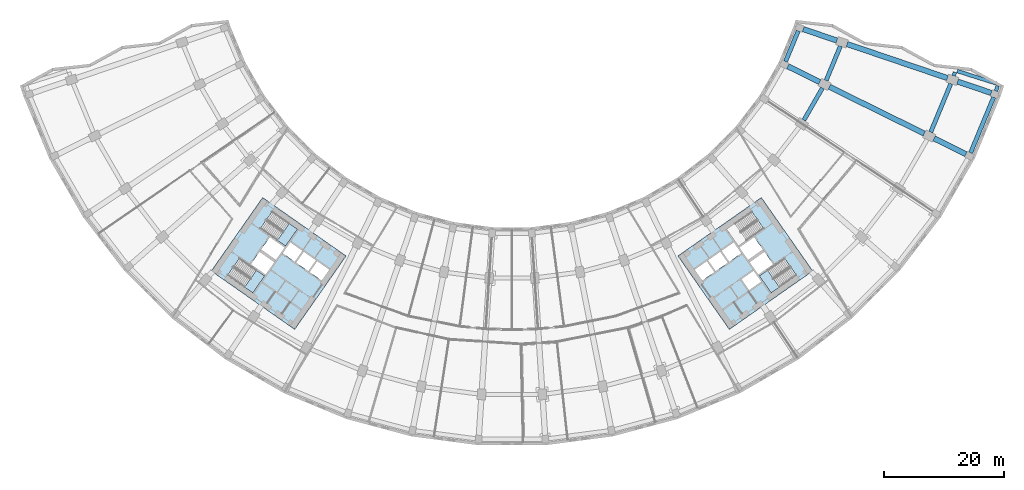
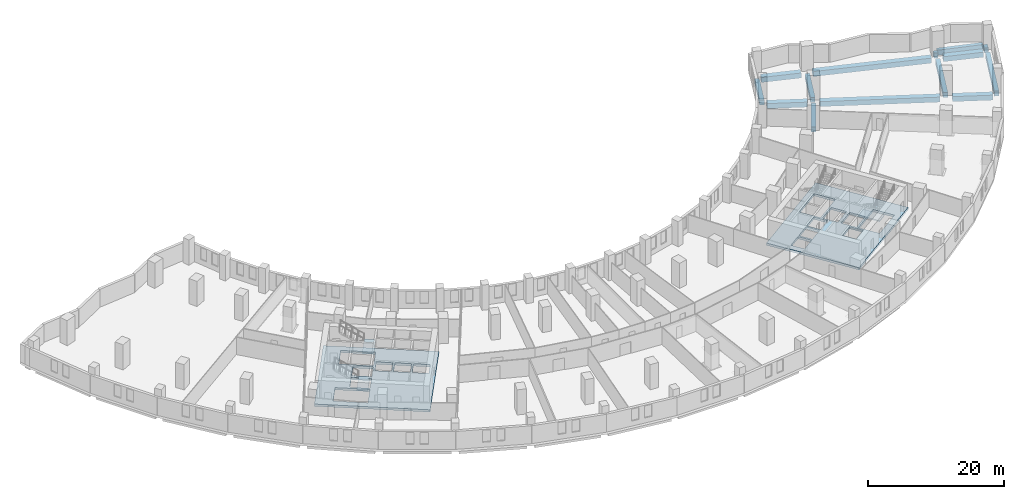
# One storey, part 3 of 19: 14 beams, 5 slabs, 3 elements without a shape of their own.
"""IFC4 building model written with IfcOpenShell, lengths in metres."""

from ifc_helpers import new_model, si_unit, direction, frame, origin, origin_2d, place, context, subcontext, project, spatial, polyline, rectangle, outline, extrude, material, layer, layer_set, material_profile, profile_set, type_object, element, aggregate, save


model = new_model("IFC4")

# Units and contexts
model_context = context("Model", 3, precision=1e-05, world=origin(), true_north=direction((0.0, 1.0)))
body_context = subcontext(model_context, "Body", "Model", "MODEL_VIEW")
ifc_project = project(units=[si_unit("LENGTHUNIT", "METRE"), si_unit("AREAUNIT", "SQUARE_METRE"), si_unit("VOLUMEUNIT", "CUBIC_METRE"), si_unit("PLANEANGLEUNIT", "RADIAN"), si_unit("MASSUNIT", "GRAM", prefix="KILO")], contexts=[model_context])

# Site, building, storey
site_placement = place(None, origin())
site = spatial("IfcSite", under=ifc_project, at=site_placement, CompositionType="ELEMENT")
building_placement = place(site_placement, origin())
building = spatial("IfcBuilding", under=site, at=building_placement, Name="Qamariyya Broadcast Tower", CompositionType="ELEMENT")
storey_placement = place(building_placement, frame((0.0, 0.0, 36.0)))
storey = spatial("IfcBuildingStorey", under=building, at=storey_placement, Name="L05", CompositionType="ELEMENT", Elevation=36.0)

# Beams
ifc_material_1 = material(Name="Concrete C50/60", Category="concrete")
ifc_material_profile_1 = material_profile(ifc_material_1, rectangle(XDim=0.699951171875, YDim=0.89990234375, at=origin_2d()))
ifc_profile_set_1 = profile_set([ifc_material_profile_1], Name="Concrete C50/60")
beam_type_1 = type_object("IfcBeamType", Name="RC edge beam 700 x 900 C50/60", PredefinedType="SPANDREL", material=ifc_profile_set_1)
beam_1_placement = place(storey_placement, frame((45.727294921875, -21.93701171875, -0.85009765625), z_axis=(0.382654292645, 0.92389160204, 0.0), x_axis=(-0.92389160204, 0.382654292645, 0.0)))
element("IfcBeam", 1, at=beam_1_placement, inside=storey, type_object=beam_type_1, Name="Edge beam B2 L05 A R19-R20", PredefinedType="SPANDREL", context=body_context, shape_type="SweptSolid", body=[
    extrude(rectangle(XDim=0.699951171875, YDim=0.89990234375, at=origin_2d()), origin(), (0.0, 0.0, 1.0), 5.5361328125),
])
for number, where, z_axis, x_axis, name in (
    (2, (48.783935546875, -31.75439453125, -0.85009765625), (0.499995558535, 0.86602796805, 0.0), (-0.86602796805, 0.499995558535, 0.0), "Edge beam B2 L05 B R18-R19"),
    (3, (52.51123046875, -25.115234375, -0.85009765625), (0.38268477858, 0.92387897489, 0.0), (-0.92387897489, 0.38268477858, 0.0), "Edge beam B2 L05 B R19-R20"),
):
    element("IfcBeam", number, at=place(storey_placement, frame(where, z_axis=z_axis, x_axis=x_axis)), inside=storey, type_object=beam_type_1, Name=name, PredefinedType="SPANDREL", context=body_context, shape_type="SweptSolid", body=[
        extrude(rectangle(XDim=0.699951171875, YDim=0.89990234375, at=origin_2d()), origin(), (0.0, 0.0, 1.0), 6.21630859375),
    ])
beam_2_placement = place(storey_placement, frame((70.000244140625, -33.73974609375, -0.85009765625), z_axis=(0.38270841035, 0.923869185896, 0.0), x_axis=(-0.923869185896, 0.38270841035, 0.0)))
element("IfcBeam", 4, at=beam_2_placement, inside=storey, type_object=beam_type_1, Name="Edge beam B2 L05 C R19-R20", PredefinedType="SPANDREL", context=body_context, shape_type="SweptSolid", body=[
    extrude(rectangle(XDim=0.699951171875, YDim=0.89990234375, at=origin_2d()), origin(), (0.0, 0.0, 1.0), 8.76708984375),
])
beam_3_placement = place(storey_placement, frame((76.66943359375, -37.19580078125, -0.85009765625), z_axis=(0.382677229034, 0.923882101991, 0.0), x_axis=(-0.923882101991, 0.382677229034, 0.0)))
element("IfcBeam", 5, at=beam_3_placement, inside=storey, type_object=beam_type_1, Name="Edge beam B2 L05 D R19-R20", PredefinedType="SPANDREL", context=body_context, shape_type="SweptSolid", body=[
    extrude(rectangle(XDim=0.699951171875, YDim=0.89990234375, at=origin_2d()), origin(), (0.0, 0.0, 1.0), 10.048828125),
])
ifc_material_profile_2 = material_profile(ifc_material_1, rectangle(XDim=0.60009765625, YDim=0.89990234375, at=origin_2d()))
ifc_profile_set_2 = profile_set([ifc_material_profile_2], Name="Concrete C50/60")
beam_type_2 = type_object("IfcBeamType", Name="RC horn beam 600 x 900 C50/60", PredefinedType="BEAM", material=ifc_profile_set_2)
beam_4_placement = place(storey_placement, frame((73.841796875, -24.32666015625, -0.85009765625), z_axis=(0.311677221784, 0.95018803898, 0.0), x_axis=(-0.95018803898, 0.311677221784, 0.0)))
element("IfcBeam", 6, at=beam_4_placement, inside=storey, type_object=beam_type_2, Name="Horn beam B3 L05 E C-R20", PredefinedType="BEAM", context=body_context, shape_type="SweptSolid", body=[
    extrude(rectangle(XDim=0.60009765625, YDim=0.89990234375, at=origin_2d()), origin(), (0.0, 0.0, 1.0), 0.628173828125),
])
beam_5_placement = place(storey_placement, frame((80.897216796875, -26.880126953125, -0.85009765625), z_axis=(0.31136908678, 0.95028905697, 0.0), x_axis=(-0.95028905697, 0.31136908678, 0.0)))
element("IfcBeam", 7, at=beam_5_placement, inside=storey, type_object=beam_type_2, Name="Horn beam B3 L05 E D-R20", PredefinedType="BEAM", context=body_context, shape_type="SweptSolid", body=[
    extrude(rectangle(XDim=0.60009765625, YDim=0.89990234375, at=origin_2d()), origin(), (0.0, 0.0, 1.0), 0.935302734375),
])
ifc_material_profile_3 = material_profile(ifc_material_1, rectangle(XDim=0.60009765625, YDim=0.89990234375, at=origin_2d()))
ifc_profile_set_3 = profile_set([ifc_material_profile_3], Name="Concrete C50/60")
beam_type_3 = type_object("IfcBeamType", Name="RC horn cap beam 600 x 900 C50/60", PredefinedType="BEAM", material=ifc_profile_set_3)
beam_6_placement = place(storey_placement, frame((74.4169921875, -23.53515625, -0.85009765625), z_axis=(0.953456380288, -0.301530978321, 0.0), x_axis=(0.301530978321, 0.953456380288, 0.0)))
element("IfcBeam", 8, at=beam_6_placement, inside=storey, type_object=beam_type_3, Name="Horn cap beam B4 L05 E C-D", PredefinedType="BEAM", context=body_context, shape_type="SweptSolid", body=[
    extrude(rectangle(XDim=0.60009765625, YDim=0.89990234375, at=origin_2d()), origin(), (0.0, 0.0, 1.0), 6.89990234375),
])
ifc_material_profile_4 = material_profile(ifc_material_1, rectangle(XDim=0.89990234375, YDim=0.89990234375, at=origin_2d()))
ifc_profile_set_4 = profile_set([ifc_material_profile_4], Name="Concrete C50/60")
beam_type_4 = type_object("IfcBeamType", Name="RC radial beam 900 x 900 C50/60", PredefinedType="BEAM", material=ifc_profile_set_4)
beam_7_placement = place(storey_placement, frame((46.099365234375, -22.733642578125, -0.85009765625), z_axis=(0.896867525941, -0.442299266236, 0.0), x_axis=(0.442299266236, 0.896867525941, 0.0)))
element("IfcBeam", 9, at=beam_7_placement, inside=storey, type_object=beam_type_4, Name="Radial beam B1 L05 R19 A-B", PredefinedType="BEAM", context=body_context, shape_type="SweptSolid", body=[
    extrude(rectangle(XDim=0.89990234375, YDim=0.89990234375, at=origin_2d()), origin(), (0.0, 0.0, 1.0), 5.94970703125),
])
beam_8_placement = place(storey_placement, frame((53.050048828125, -26.161376953125, -0.85009765625), z_axis=(0.896868921808, -0.442296435771, 0.0), x_axis=(0.442296435771, 0.896868921808, 0.0)))
element("IfcBeam", 10, at=beam_8_placement, inside=storey, type_object=beam_type_4, Name="Radial beam B1 L05 R19 B-C", PredefinedType="BEAM", context=body_context, shape_type="SweptSolid", body=[
    extrude(rectangle(XDim=0.89990234375, YDim=0.89990234375, at=origin_2d()), origin(), (0.0, 0.0, 1.0), 17.699951171875),
])
beam_9_placement = place(storey_placement, frame((70.5390625, -34.785888671875, -0.85009765625), z_axis=(0.896859276255, -0.442315994054, 0.0), x_axis=(0.442315994054, 0.896859276255, 0.0)))
element("IfcBeam", 11, at=beam_9_placement, inside=storey, type_object=beam_type_4, Name="Radial beam B1 L05 R19 C-D", PredefinedType="BEAM", context=body_context, shape_type="SweptSolid", body=[
    extrude(rectangle(XDim=0.89990234375, YDim=0.89990234375, at=origin_2d()), origin(), (0.0, 0.0, 1.0), 5.9501953125),
])
beam_10_placement = place(storey_placement, frame((48.672119140625, -16.52197265625, -0.85009765625), z_axis=(0.946929197619, -0.32144221051, 0.0), x_axis=(0.32144221051, 0.946929197619, 0.0)))
element("IfcBeam", 12, at=beam_10_placement, inside=storey, type_object=beam_type_4, Name="Radial beam B1 L05 R20 A-B", PredefinedType="BEAM", context=body_context, shape_type="SweptSolid", body=[
    extrude(rectangle(XDim=0.89990234375, YDim=0.89990234375, at=origin_2d()), origin(), (0.0, 0.0, 1.0), 5.949951171875),
])
beam_11_placement = place(storey_placement, frame((56.010986328125, -19.01318359375, -0.85009765625), z_axis=(0.946929601856, -0.321441019674, 0.0), x_axis=(0.321441019674, 0.946929601856, 0.0)))
element("IfcBeam", 13, at=beam_11_placement, inside=storey, type_object=beam_type_4, Name="Radial beam B1 L05 R20 B-C", PredefinedType="BEAM", context=body_context, shape_type="SweptSolid", body=[
    extrude(rectangle(XDim=0.89990234375, YDim=0.89990234375, at=origin_2d()), origin(), (0.0, 0.0, 1.0), 17.699951171875),
])
beam_12_placement = place(storey_placement, frame((74.47607421875, -25.28125, -0.85009765625), z_axis=(0.946929197619, -0.32144221051, 0.0), x_axis=(0.32144221051, 0.946929197619, 0.0)))
element("IfcBeam", 14, at=beam_12_placement, inside=storey, type_object=beam_type_4, Name="Radial beam B1 L05 R20 C-D", PredefinedType="BEAM", context=body_context, shape_type="SweptSolid", body=[
    extrude(rectangle(XDim=0.89990234375, YDim=0.89990234375, at=origin_2d()), origin(), (0.0, 0.0, 1.0), 5.949951171875),
])

# Slabs
ifc_material_2 = material(Name="Concrete C40/50", Category="concrete")
ifc_layer_1 = layer(ifc_material_2, 0.39990234375)
ifc_layer_set_1 = layer_set([ifc_layer_1], Name="Core floor slab 400 mm Concrete C40/50")
slab_type_1 = type_object("IfcSlabType", Name="Core floor slab 400 mm Concrete C40/50", PredefinedType="FLOOR", material=ifc_layer_set_1)
slab_1_placement = place(storey_placement, frame((0.0, 0.0, -0.39990234375)))
element("IfcSlab", 15, at=slab_1_placement, inside=storey, type_object=slab_type_1, Name="k-W-L05-slab", PredefinedType="FLOOR", context=body_context, shape_type="SweptSolid", body=[
    extrude(outline(polyline([(-50.286376953125, -56.95751953125), (-36.32373046875, -66.734375), (-27.719970703125, -54.447021484375), (-41.6826171875, -44.67041015625), (-50.286376953125, -56.95751953125)]), holes=[polyline([(-31.80859375, -58.542724609375), (-33.8154296875, -57.137451171875), (-32.5537109375, -55.335205078125), (-30.546630859375, -56.740478515625), (-31.80859375, -58.542724609375)]), polyline([(-34.061279296875, -56.96533203125), (-36.068115234375, -55.56005859375), (-34.806396484375, -53.758056640625), (-32.79931640625, -55.163330078125), (-34.061279296875, -56.96533203125)]), polyline([(-36.31396484375, -55.387939453125), (-38.32080078125, -53.982666015625), (-37.058837890625, -52.1806640625), (-35.052001953125, -53.5859375), (-36.31396484375, -55.387939453125)]), polyline([(-39.742431640625, -55.489990234375), (-42.199951171875, -53.769287109375), (-43.6337890625, -55.817138671875), (-41.17626953125, -57.537841796875), (-39.742431640625, -55.489990234375)]), polyline([(-39.45556640625, -55.080322265625), (-41.9130859375, -53.359619140625), (-40.47900390625, -51.311767578125), (-38.021728515625, -53.032470703125), (-39.45556640625, -55.080322265625)]), polyline([(-42.06103515625, -49.837890625), (-37.849609375, -52.78662109375), (-35.870849609375, -49.960693359375), (-40.082275390625, -47.01171875), (-42.06103515625, -49.837890625)]), polyline([(-47.538818359375, -57.66064453125), (-43.3271484375, -60.609619140625), (-41.348388671875, -57.783447265625), (-45.559814453125, -54.834716796875), (-47.538818359375, -57.66064453125)])]), origin(), (0.0, 0.0, 1.0), 0.39990234375),
])
slab_2_placement = place(storey_placement, frame((0.0, 0.0, -0.39990234375)))
element("IfcSlab", 16, at=slab_2_placement, inside=storey, type_object=slab_type_1, Name="k-E-L05-slab", PredefinedType="FLOOR", context=body_context, shape_type="SweptSolid", body=[
    extrude(outline(polyline([(36.32373046875, -66.734375), (50.286376953125, -56.95751953125), (41.6826171875, -44.67041015625), (27.719970703125, -54.447021484375), (36.32373046875, -66.734375)]), holes=[polyline([(31.80859375, -58.542724609375), (33.8154296875, -57.137451171875), (32.5537109375, -55.335205078125), (30.546630859375, -56.740478515625), (31.80859375, -58.542724609375)]), polyline([(34.061279296875, -56.96533203125), (36.068115234375, -55.56005859375), (34.806396484375, -53.758056640625), (32.79931640625, -55.163330078125), (34.061279296875, -56.96533203125)]), polyline([(36.31396484375, -55.387939453125), (38.32080078125, -53.982666015625), (37.058837890625, -52.1806640625), (35.052001953125, -53.5859375), (36.31396484375, -55.387939453125)]), polyline([(38.378662109375, -58.3369140625), (40.3857421875, -56.931640625), (41.6474609375, -58.73388671875), (39.640625, -60.13916015625), (38.378662109375, -58.3369140625)]), polyline([(39.742431640625, -55.489990234375), (42.199951171875, -53.769287109375), (43.6337890625, -55.817138671875), (41.17626953125, -57.537841796875), (39.742431640625, -55.489990234375)]), polyline([(39.45556640625, -55.080322265625), (41.9130859375, -53.359619140625), (40.47900390625, -51.311767578125), (38.021728515625, -53.032470703125), (39.45556640625, -55.080322265625)]), polyline([(40.082275390625, -47.01171875), (35.870849609375, -49.960693359375), (37.849609375, -52.78662109375), (42.06103515625, -49.837890625), (40.082275390625, -47.01171875)]), polyline([(45.559814453125, -54.834716796875), (41.348388671875, -57.783447265625), (43.3271484375, -60.609619140625), (47.538818359375, -57.66064453125), (45.559814453125, -54.834716796875)])]), origin(), (0.0, 0.0, 1.0), 0.39990234375),
])

# Stair, slab
stair_type = type_object("IfcStairType", Name="Exit stair 26 risers of 173 mm", PredefinedType="HALF_TURN_STAIR", material=ifc_material_1)
stair_1_placement = place(storey_placement, origin())
stair_1 = element("IfcStair", 17, at=stair_1_placement, inside=storey, type_object=stair_type, Name="L05 Stair W2", PredefinedType="HALF_TURN_STAIR")
ifc_layer_2 = layer(ifc_material_1, 0.199951171875)
ifc_layer_set_2 = layer_set([ifc_layer_2], Name="Stair landing")
slab_type_2 = type_object("IfcSlabType", Name="Stair landing", PredefinedType="LANDING", material=ifc_layer_set_2)
slab_3_placement = place(storey_placement, frame((0.0, 0.0, 2.050048828125)))
slab_3 = element("IfcSlab", 18, at=slab_3_placement, type_object=slab_type_2, Name="ST-W2 landing 1", PredefinedType="LANDING", context=body_context, shape_type="SweptSolid", body=[
    extrude(outline(polyline([(-39.217041015625, -51.829345703125), (-37.849609375, -52.78662109375), (-35.870849609375, -49.960693359375), (-37.23828125, -49.003173828125), (-39.217041015625, -51.829345703125)])), origin(), (0.0, 0.0, 1.0), 0.199951171875),
])
aggregate(stair_1, [slab_3])

stair_2_placement = place(storey_placement, origin())
stair_2 = element("IfcStair", 19, at=stair_2_placement, inside=storey, type_object=stair_type, Name="L05 Stair W1", PredefinedType="HALF_TURN_STAIR")
slab_4_placement = place(storey_placement, frame((0.0, 0.0, 2.050048828125)))
slab_4 = element("IfcSlab", 20, at=slab_4_placement, type_object=slab_type_2, Name="ST-W1 landing 1", PredefinedType="LANDING", context=body_context, shape_type="SweptSolid", body=[
    extrude(outline(polyline([(-44.694580078125, -59.652099609375), (-43.3271484375, -60.609619140625), (-41.348388671875, -57.783447265625), (-42.7158203125, -56.826171875), (-44.694580078125, -59.652099609375)])), origin(), (0.0, 0.0, 1.0), 0.199951171875),
])
aggregate(stair_2, [slab_4])

stair_3_placement = place(storey_placement, origin())
stair_3 = element("IfcStair", 21, at=stair_3_placement, inside=storey, type_object=stair_type, Name="L05 Stair E1", PredefinedType="HALF_TURN_STAIR")
slab_5_placement = place(storey_placement, frame((0.0, 0.0, 2.050048828125)))
slab_5 = element("IfcSlab", 22, at=slab_5_placement, type_object=slab_type_2, Name="ST-E1 landing 1", PredefinedType="LANDING", context=body_context, shape_type="SweptSolid", body=[
    extrude(outline(polyline([(42.7158203125, -56.826171875), (41.348388671875, -57.783447265625), (43.3271484375, -60.609619140625), (44.694580078125, -59.652099609375), (42.7158203125, -56.826171875)])), origin(), (0.0, 0.0, 1.0), 0.199951171875),
])
aggregate(stair_3, [slab_5])

save(model, "model.ifc")
